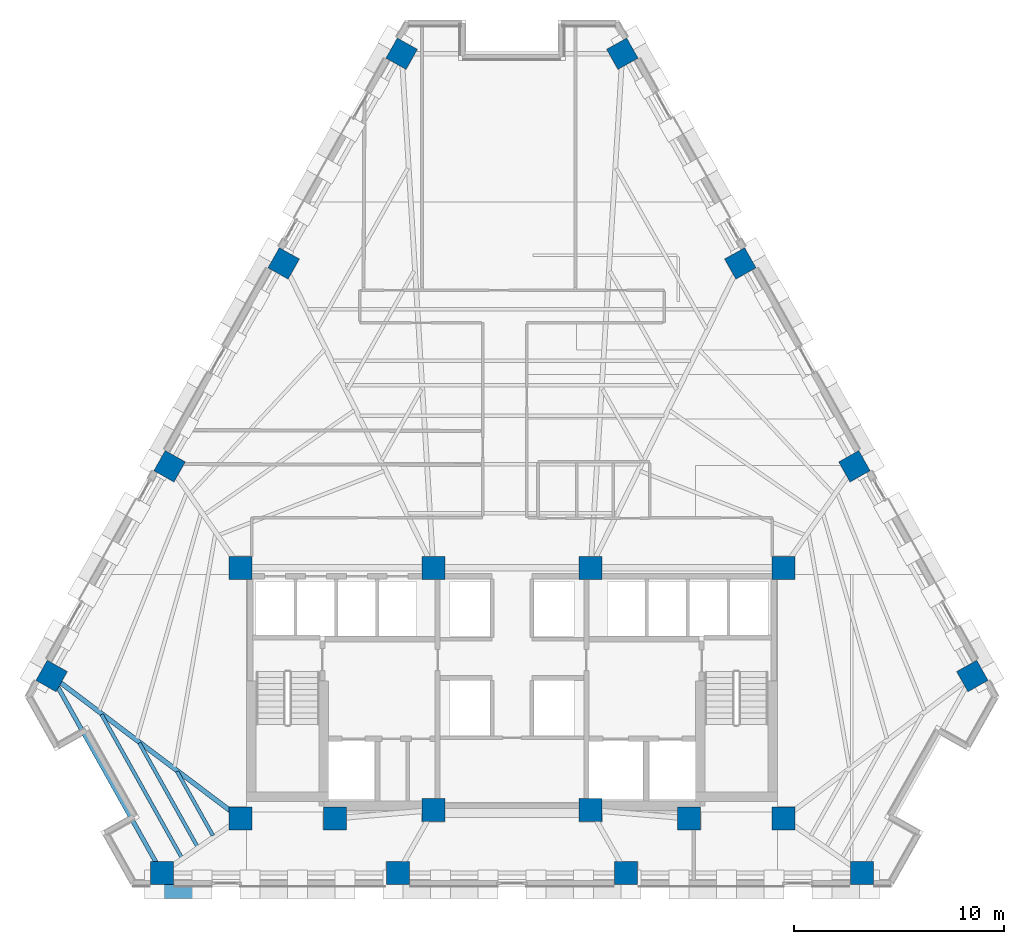
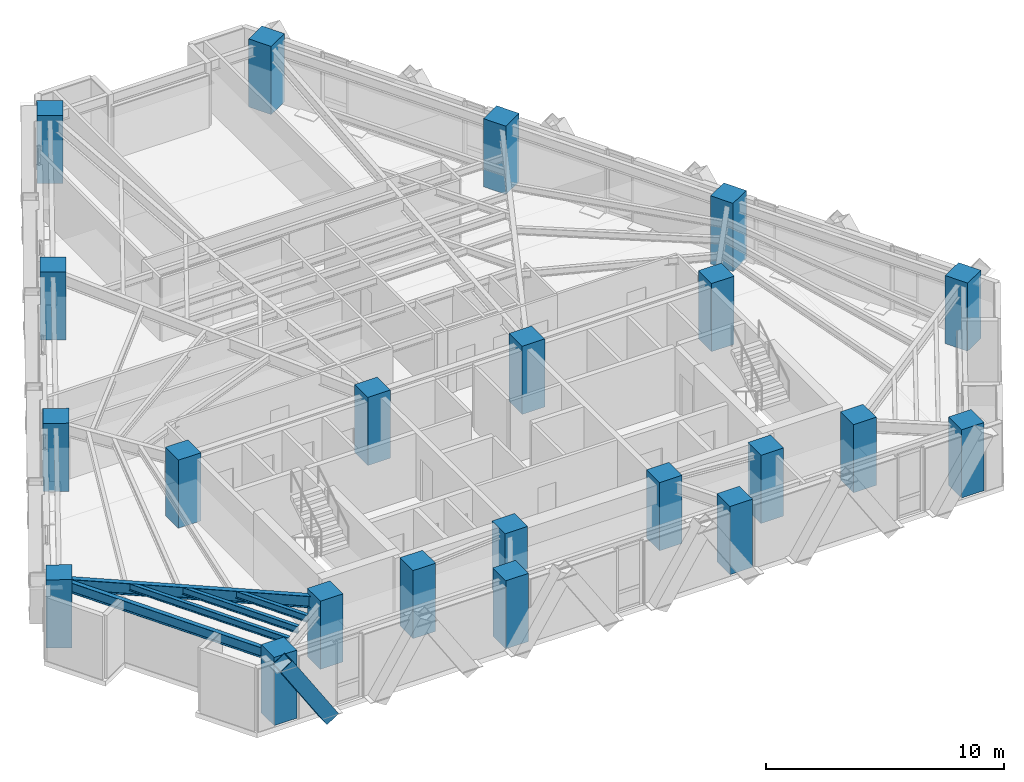
# One storey, part 1 of 13: 22 columns, 5 beams, 1 member.
"""IFC4 building model written with IfcOpenShell, lengths in metres."""

from ifc_helpers import new_model, si_unit, direction, frame, origin, origin_2d, place, context, subcontext, project, spatial, rectangle, hollow_rectangle, i_section, extrude, material, material_profile, profile_set, type_object, element, save


model = new_model("IFC4")

# Units and contexts
model_context = context("Model", 3, precision=1e-05, world=origin(), true_north=direction((0.0, 1.0)))
body_context = subcontext(model_context, "Body", "Model", "MODEL_VIEW")
ifc_project = project(units=[si_unit("LENGTHUNIT", "METRE"), si_unit("AREAUNIT", "SQUARE_METRE"), si_unit("VOLUMEUNIT", "CUBIC_METRE"), si_unit("PLANEANGLEUNIT", "RADIAN"), si_unit("MASSUNIT", "GRAM", prefix="KILO")], contexts=[model_context])

# Site, building, storey
site_placement = place(None, origin())
site = spatial("IfcSite", under=ifc_project, at=site_placement, CompositionType="ELEMENT")
building_placement = place(site_placement, origin())
building = spatial("IfcBuilding", under=site, at=building_placement, Name="Quenlor Broadcast Tower", CompositionType="ELEMENT")
storey_placement = place(building_placement, frame((0.0, 0.0, 83.60009765625)))
storey = spatial("IfcBuildingStorey", under=building, at=storey_placement, Name="L22", CompositionType="ELEMENT", Elevation=83.60009765625)

# Columns
ifc_material_1 = material(Name="Concrete C65/80", Category="concrete")
ifc_material_profile_1 = material_profile(ifc_material_1, rectangle(XDim=1.10009765625, YDim=1.10009765625, at=origin_2d()))
ifc_profile_set_1 = profile_set([ifc_material_profile_1], Name="Concrete C65/80 RC1100x1100")
column_type_1 = type_object("IfcColumnType", Name="Core Corner Column Mid Concrete C65/80 1100", PredefinedType="COLUMN", material=ifc_profile_set_1)
for number, where, z_axis, x_axis, name in (
    (1, (-12.949951171875, -16.75, 0.0), (0.0, 0.0, 1.0), (1.0, 0.0, 0.0), "L22 Core Column CC1"),
    (2, (-8.449951171875, -16.75, 0.0), (0.0, 0.0, 1.0), (1.0, 0.0, 0.0), "L22 Core Column CC2"),
    (3, (-3.75, -16.35009765625, 0.0), (0.0, 0.0, 1.0), (1.0, 0.0, 0.0), "L22 Core Column CC3"),
    (4, (3.75, -16.35009765625, 0.0), (0.0, 0.0, 1.0), (1.0, 0.0, 0.0), "L22 Core Column CC4"),
    (5, (8.449951171875, -16.75, 0.0), (0.0, 0.0, 1.0), (1.0, 0.0, 0.0), "L22 Core Column CC5"),
    (6, (12.949951171875, -16.75, 0.0), (0.0, 0.0, 1.0), (1.0, 0.0, 0.0), "L22 Core Column CC6"),
    (7, (-12.949951171875, -4.800048828125, 0.0), (0.0, 0.0, 1.0), (1.0, 0.0, 0.0), "L22 Core Column CC7"),
    (8, (-3.75, -4.800048828125, 0.0), (0.0, 0.0, 1.0), (1.0, 0.0, 0.0), "L22 Core Column CC8"),
    (9, (3.75, -4.800048828125, 0.0), (0.0, 0.0, 1.0), (1.0, 0.0, 0.0), "L22 Core Column CC9"),
    (10, (12.949951171875, -4.800048828125, 0.0), (0.0, 0.0, 1.0), (1.0, 0.0, 0.0), "L22 Core Column CC10"),
):
    element("IfcColumn", number, at=place(storey_placement, frame(where, z_axis=z_axis, x_axis=x_axis)), inside=storey, type_object=column_type_1, Name=name, PredefinedType="COLUMN", context=body_context, shape_type="SweptSolid", body=[
        extrude(rectangle(XDim=1.10009765625, YDim=1.10009765625, at=origin_2d()), origin(), (0.0, 0.0, 1.0), 3.5),
    ])
ifc_material_2 = material(Name="Concrete C65/80", Category="concrete")
ifc_material_profile_2 = material_profile(ifc_material_2, rectangle(XDim=1.10009765625, YDim=1.10009765625, at=origin_2d()))
ifc_profile_set_2 = profile_set([ifc_material_profile_2], Name="Concrete C65/80 RC1100x1100")
column_type_2 = type_object("IfcColumnType", Name="Tower Perimeter Column Z2 Concrete C65/80 1100", PredefinedType="COLUMN", material=ifc_profile_set_2)
for number, where, z_axis, x_axis, name in (
    (11, (-16.6923828125, -19.35009765625, 0.0), (0.0, 0.0, 1.0), (0.0, 1.0, 0.0), "L22 Perimeter Column S1"),
    (12, (-5.443115234375, -19.35009765625, 0.0), (0.0, 0.0, 1.0), (0.0, 1.0, 0.0), "L22 Perimeter Column S2"),
    (13, (5.443115234375, -19.35009765625, 0.0), (0.0, 0.0, 1.0), (0.0, 1.0, 0.0), "L22 Perimeter Column S3"),
    (14, (16.6923828125, -19.35009765625, 0.0), (0.0, 0.0, 1.0), (0.0, 1.0, 0.0), "L22 Perimeter Column S4"),
    (15, (21.95458984375, -9.95654296875, 0.0), (0.0, 0.0, 1.0), (0.871575139605, 0.490261946333, 0.0), "L22 Perimeter Column NE1"),
    (16, (16.330078125, 0.04296875, 0.0), (0.0, 0.0, 1.0), (0.871575139605, 0.490261946333, 0.0), "L22 Perimeter Column NE2"),
    (17, (10.886962890625, 9.7197265625, 0.0), (0.0, 0.0, 1.0), (0.871575139605, 0.490261946333, 0.0), "L22 Perimeter Column NE3"),
    (18, (5.26220703125, 19.718994140625, 0.0), (0.0, 0.0, 1.0), (0.871575139605, 0.490261946333, 0.0), "L22 Perimeter Column NE4"),
    (19, (-5.26220703125, 19.718994140625, 0.0), (0.0, 0.0, 1.0), (-0.871575139605, 0.490261946333, 0.0), "L22 Perimeter Column NW1"),
    (20, (-10.886962890625, 9.7197265625, 0.0), (0.0, 0.0, 1.0), (-0.871575139605, 0.490261946333, 0.0), "L22 Perimeter Column NW2"),
    (21, (-16.330078125, 0.04296875, 0.0), (0.0, 0.0, 1.0), (-0.871575139605, 0.490261946333, 0.0), "L22 Perimeter Column NW3"),
    (22, (-21.95458984375, -9.95654296875, 0.0), (0.0, 0.0, 1.0), (-0.871575139605, 0.490261946333, 0.0), "L22 Perimeter Column NW4"),
):
    element("IfcColumn", number, at=place(storey_placement, frame(where, z_axis=z_axis, x_axis=x_axis)), inside=storey, type_object=column_type_2, Name=name, PredefinedType="COLUMN", context=body_context, shape_type="SweptSolid", body=[
        extrude(rectangle(XDim=1.10009765625, YDim=1.10009765625, at=origin_2d()), origin(), (0.0, 0.0, 1.0), 3.5),
    ])

# Member
ifc_material_3 = material(Name="Steel S355", Category="steel")
ifc_material_profile_3 = material_profile(ifc_material_3, hollow_rectangle(XDim=0.679931640625, YDim=0.679931640625, WallThickness=0.030029296875, at=origin_2d()))
ifc_profile_set_3 = profile_set([ifc_material_profile_3], Name="Steel S355 RHS680x680x30")
member_type = type_object("IfcMemberType", Name="Perimeter Diagonal Lattice Brace Z2 Steel S355 RHS680x30", PredefinedType="BRACE", material=ifc_profile_set_3)
member_placement = place(storey_placement, frame((-14.78515625, -20.235107421875, -0.1201171875), z_axis=(-0.539968035679, 0.0, 0.841685523485), x_axis=(0.0, -1.0, 0.0)))
element("IfcMember", 23, at=member_placement, inside=storey, type_object=member_type, Name="L22 Perimeter Diamond Lattice S-C5S", PredefinedType="BRACE", context=body_context, shape_type="SweptSolid", body=[
    extrude(hollow_rectangle(XDim=0.679931640625, YDim=0.679931640625, WallThickness=0.030029296875, at=origin_2d()), origin(), (0.0, 0.0, 1.0), 4.158203125),
])

# Beams
ifc_material_4 = material(Name="Steel S355", Category="steel")
ifc_material_profile_4 = material_profile(ifc_material_4, i_section(OverallWidth=0.208984375, OverallDepth=0.5283203125, WebThickness=0.009521484375, FlangeThickness=0.01318359375, FilletRadius=0.013916015625, at=origin_2d()))
ifc_profile_set_4 = profile_set([ifc_material_profile_4], Name="Steel S355 530UB82.0")
beam_type_1 = type_object("IfcBeamType", Name="Perimeter Spandrel Beam Z2 Steel S355 530UB82.0", PredefinedType="SPANDREL", material=ifc_profile_set_4)
beam_1_placement = place(storey_placement, frame((-21.75439453125, -10.314208984375, 2.98583984375), z_axis=(0.488749102779, -0.872424389006, 0.0), x_axis=(0.872424389006, 0.488749102779, 0.0)))
element("IfcBeam", 24, at=beam_1_placement, inside=storey, type_object=beam_type_1, Name="L22 Spandrel Beam NW4-S1", PredefinedType="SPANDREL", context=body_context, shape_type="SweptSolid", body=[
    extrude(i_section(OverallWidth=0.208984375, OverallDepth=0.5283203125, WebThickness=0.009521484375, FlangeThickness=0.01318359375, FilletRadius=0.013916015625, at=origin_2d()), origin(), (0.0, 0.0, 1.0), 9.947021484375),
])
ifc_material_5 = material(Name="Steel S355", Category="steel")
ifc_material_profile_5 = material_profile(ifc_material_5, i_section(OverallWidth=0.172119140625, OverallDepth=0.358642578125, WebThickness=0.008056640625, FlangeThickness=0.012939453125, FilletRadius=0.011474609375, at=origin_2d()))
ifc_profile_set_5 = profile_set([ifc_material_profile_5], Name="Steel S355 360UB56.7")
beam_type_2 = type_object("IfcBeamType", Name="Tower Composite Joist Z2-Z3 Steel S355 360UB56.7", PredefinedType="JOIST", material=ifc_profile_set_5)
beam_2_placement = place(storey_placement, frame((-14.261474609375, -17.564208984375, 3.070556640625), z_axis=(-0.488730779643, 0.87243465373, 0.0), x_axis=(-0.87243465373, -0.488730779643, 0.0)))
element("IfcBeam", 25, at=beam_2_placement, inside=storey, type_object=beam_type_2, Name="L22 Secondary Composite Joist 19", PredefinedType="JOIST", context=body_context, shape_type="SweptSolid", body=[
    extrude(i_section(OverallWidth=0.172119140625, OverallDepth=0.358642578125, WebThickness=0.008056640625, FlangeThickness=0.012939453125, FilletRadius=0.011474609375, at=origin_2d()), origin(), (0.0, 0.0, 1.0), 3.500732421875),
])
beam_3_placement = place(storey_placement, frame((-15.010009765625, -18.084228515625, 3.070556640625), z_axis=(-0.488741419435, 0.87242869332, 0.0), x_axis=(-0.87242869332, -0.488741419435, 0.0)))
element("IfcBeam", 26, at=beam_3_placement, inside=storey, type_object=beam_type_2, Name="L22 Secondary Composite Joist 20", PredefinedType="JOIST", context=body_context, shape_type="SweptSolid", body=[
    extrude(i_section(OverallWidth=0.172119140625, OverallDepth=0.358642578125, WebThickness=0.008056640625, FlangeThickness=0.012939453125, FilletRadius=0.011474609375, at=origin_2d()), origin(), (0.0, 0.0, 1.0), 5.654052734375),
])
beam_4_placement = place(storey_placement, frame((-15.758544921875, -18.604248046875, 3.070556640625), z_axis=(-0.488732857155, 0.872433489922, 0.0), x_axis=(-0.872433489922, -0.488732857155, 0.0)))
element("IfcBeam", 27, at=beam_4_placement, inside=storey, type_object=beam_type_2, Name="L22 Secondary Composite Joist 21", PredefinedType="JOIST", context=body_context, shape_type="SweptSolid", body=[
    extrude(i_section(OverallWidth=0.172119140625, OverallDepth=0.358642578125, WebThickness=0.008056640625, FlangeThickness=0.012939453125, FilletRadius=0.011474609375, at=origin_2d()), origin(), (0.0, 0.0, 1.0), 7.807861328125),
])
ifc_material_6 = material(Name="Steel S355", Category="steel")
ifc_material_profile_6 = material_profile(ifc_material_6, i_section(OverallWidth=0.22802734375, OverallDepth=0.60205078125, WebThickness=0.010498046875, FlangeThickness=0.014892578125, FilletRadius=0.013916015625, at=origin_2d()))
ifc_profile_set_6 = profile_set([ifc_material_profile_6], Name="Steel S355 610UB101")
beam_type_3 = type_object("IfcBeamType", Name="Tower Primary Floor Beam Z2 Steel S355 610UB101", PredefinedType="BEAM", material=ifc_profile_set_6)
beam_5_placement = place(storey_placement, frame((-21.62744140625, -10.203369140625, 2.948974609375), z_axis=(0.798298724007, -0.602261693327, 0.0), x_axis=(0.602261693327, 0.798298724007, 0.0)))
element("IfcBeam", 28, at=beam_5_placement, inside=storey, type_object=beam_type_3, Name="L22 Primary Radial Beam NW4", PredefinedType="BEAM", context=body_context, shape_type="SweptSolid", body=[
    extrude(i_section(OverallWidth=0.22802734375, OverallDepth=0.60205078125, WebThickness=0.010498046875, FlangeThickness=0.014892578125, FilletRadius=0.013916015625, at=origin_2d()), origin(), (0.0, 0.0, 1.0), 10.48974609375),
])

save(model, "model.ifc")
